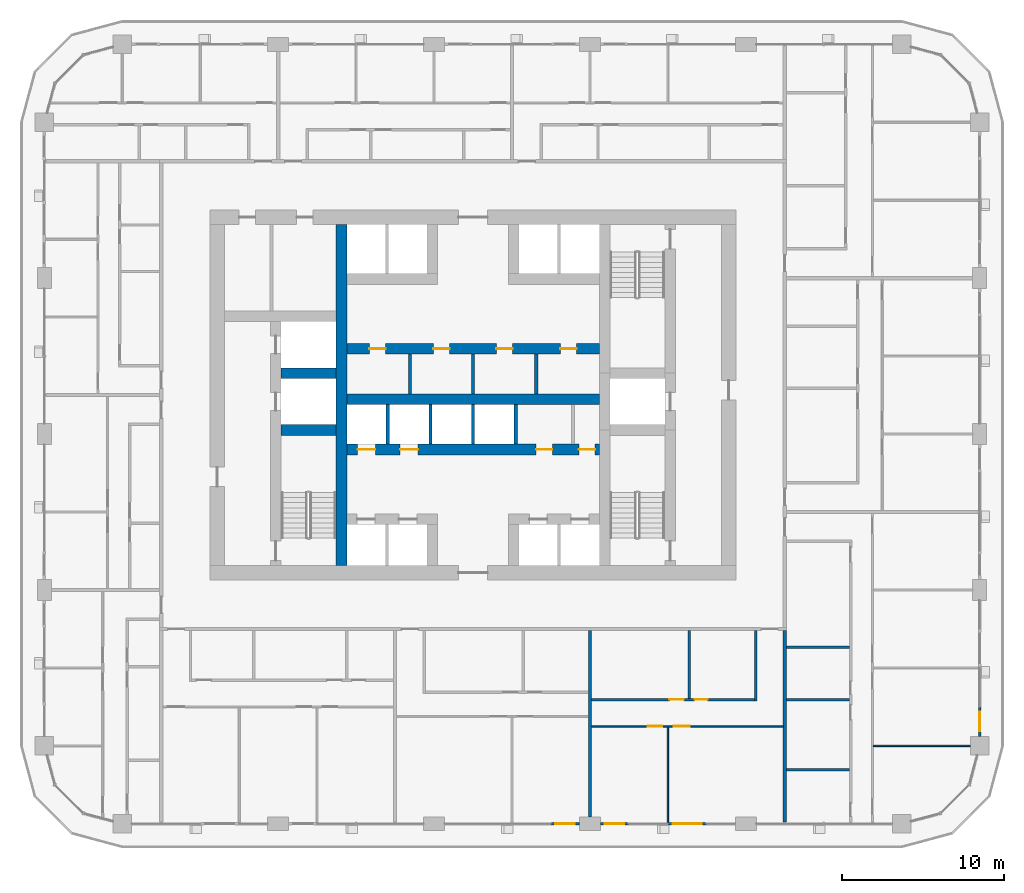
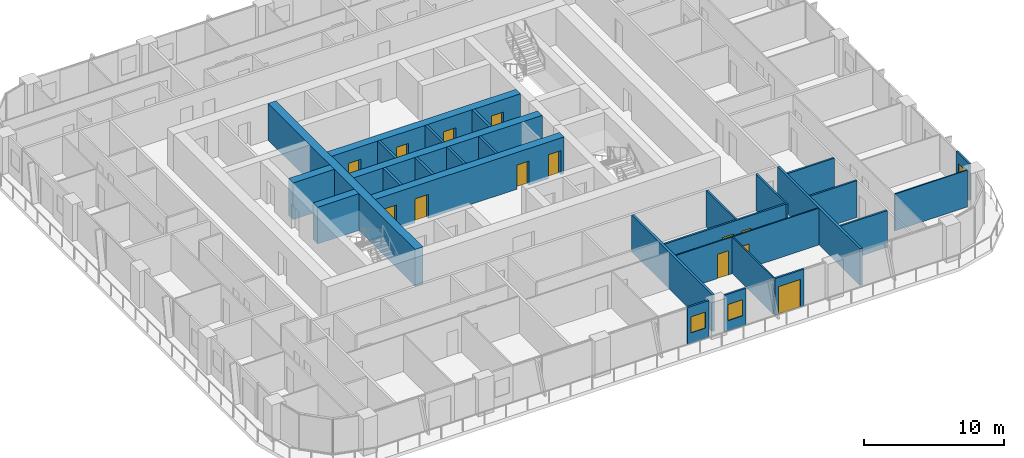
# One storey, part 11 of 22: 28 walls, 13 doors, 3 windows, 16 openings.
"""IFC4 building model written with IfcOpenShell, lengths in metres."""

from ifc_helpers import new_model, si_unit, direction, frame, frame_2d, origin, place, context, subcontext, project, spatial, rectangle, extrude, material, layer, layer_set, type_object, element, fill, save


model = new_model("IFC4")

# Units and contexts
model_context = context("Model", 3, precision=1e-05, world=origin(), true_north=direction((0.0, 1.0)))
body_context = subcontext(model_context, "Body", "Model", "MODEL_VIEW")
ifc_project = project(units=[si_unit("LENGTHUNIT", "METRE"), si_unit("AREAUNIT", "SQUARE_METRE"), si_unit("VOLUMEUNIT", "CUBIC_METRE"), si_unit("PLANEANGLEUNIT", "RADIAN"), si_unit("MASSUNIT", "GRAM", prefix="KILO")], contexts=[model_context])

# Site, building, storey
site_placement = place(None, origin())
site = spatial("IfcSite", under=ifc_project, at=site_placement, CompositionType="ELEMENT")
building_placement = place(site_placement, origin())
building = spatial("IfcBuilding", under=site, at=building_placement, Name="Madar Terraces", CompositionType="ELEMENT")
storey_placement = place(building_placement, frame((0.0, 0.0, 69.800048828125)))
storey = spatial("IfcBuildingStorey", under=building, at=storey_placement, Name="L17", CompositionType="ELEMENT", Elevation=69.800048828125)

# Walls
ifc_material_1 = material(Name="Concrete C80/95", Category="concrete")
ifc_layer_1 = layer(ifc_material_1, 0.64990234375)
ifc_layer_set_1 = layer_set([ifc_layer_1], Name="Concrete C80/95 (CIW2 RC wall 650)")
wall_type_1 = type_object("IfcWallType", Name="CIW2 RC wall 650", PredefinedType="SHEAR", material=ifc_layer_set_1)
wall_1_placement = place(storey_placement, frame((23.10009765625, 15.89990234375, 0.0), z_axis=(0.0, 0.0, 1.0), x_axis=(0.0, 1.0, 0.0)))
element("IfcWall", 1, at=wall_1_placement, inside=storey, type_object=wall_type_1, Name="CORE SHAFT WALL", PredefinedType="SHEAR", context=body_context, shape_type="SweptSolid", body=[
    extrude(rectangle(XDim=21.0, YDim=0.64990234375, at=frame_2d((10.5, 0.0))), origin(), (0.0, 0.0, 1.0), 3.199951171875),
])
for number, where, z_axis, x_axis, name in (
    (2, (19.375, 24.25, 0.0), (0.0, 0.0, 1.0), (1.0, 0.0, 0.0), "CORE SHAFT WALL"),
    (3, (19.375, 27.75, 0.0), (0.0, 0.0, 1.0), (1.0, 0.0, 0.0), "CORE SHAFT WALL"),
):
    element("IfcWall", number, at=place(storey_placement, frame(where, z_axis=z_axis, x_axis=x_axis)), inside=storey, type_object=wall_type_1, Name=name, PredefinedType="SHEAR", context=body_context, shape_type="SweptSolid", body=[
        extrude(rectangle(XDim=3.39990234375, YDim=0.64990234375, at=frame_2d((1.699951171875, 0.0))), origin(), (0.0, 0.0, 1.0), 3.199951171875),
    ])

# Wall, openings, doors
wall_2_placement = place(storey_placement, frame((23.425048828125, 23.050048828125, 0.0), z_axis=(0.0, 0.0, 1.0), x_axis=(1.0, 0.0, 0.0)))
wall_2 = element("IfcWall", 4, at=wall_2_placement, inside=storey, type_object=wall_type_1, Name="CORE SHAFT WALL", PredefinedType="SHEAR", context=body_context, shape_type="SweptSolid", body=[
    extrude(rectangle(XDim=15.550048828125, YDim=0.64990234375, at=frame_2d((7.77490234375, 0.0))), origin(), (0.0, 0.0, 1.0), 3.199951171875),
])
opening_1_placement = place(wall_2_placement, frame((0.66259765625, 0.0, 0.0)))
opening_1 = element("IfcOpeningElement", 5, at=opening_1_placement, cuts=wall_2, Name="Opening LD", PredefinedType="OPENING", context=body_context, shape_type="SweptSolid", body=[
    extrude(rectangle(XDim=1.10009765625, YDim=2.10009765625, at=frame_2d((0.550048828125, 1.050048828125))), frame((0.0, 0.3349609375, 0.0), z_axis=(0.0, -1.0, 0.0), x_axis=(1.0, 0.0, 0.0)), (0.0, 0.0, 1.0), 0.669921875),
])
opening_2_placement = place(wall_2_placement, frame((3.28759765625, 0.0, 0.0)))
opening_2 = element("IfcOpeningElement", 6, at=opening_2_placement, cuts=wall_2, Name="Opening LD", PredefinedType="OPENING", context=body_context, shape_type="SweptSolid", body=[
    extrude(rectangle(XDim=1.10009765625, YDim=2.10009765625, at=frame_2d((0.550048828125, 1.050048828125))), frame((0.0, 0.3349609375, 0.0), z_axis=(0.0, -1.0, 0.0), x_axis=(1.0, 0.0, 0.0)), (0.0, 0.0, 1.0), 0.669921875),
])
opening_3_placement = place(wall_2_placement, frame((11.6669921875, 0.0, 0.0)))
opening_3 = element("IfcOpeningElement", 7, at=opening_3_placement, cuts=wall_2, Name="Opening KD2", PredefinedType="OPENING", context=body_context, shape_type="SweptSolid", body=[
    extrude(rectangle(XDim=1.0, YDim=2.10009765625, at=frame_2d((0.5, 1.050048828125))), frame((0.0, 0.3349609375, 0.0), z_axis=(0.0, -1.0, 0.0), x_axis=(1.0, 0.0, 0.0)), (0.0, 0.0, 1.0), 0.669921875),
])
opening_4_placement = place(wall_2_placement, frame((14.2919921875, 0.0, 0.0)))
opening_4 = element("IfcOpeningElement", 8, at=opening_4_placement, cuts=wall_2, Name="Opening KD2", PredefinedType="OPENING", context=body_context, shape_type="SweptSolid", body=[
    extrude(rectangle(XDim=1.0, YDim=2.10009765625, at=frame_2d((0.5, 1.050048828125))), frame((0.0, 0.3349609375, 0.0), z_axis=(0.0, -1.0, 0.0), x_axis=(1.0, 0.0, 0.0)), (0.0, 0.0, 1.0), 0.669921875),
])
ifc_material_2 = material(Name="Stainless steel panel", Category="steel")
door_type_1 = type_object("IfcDoorType", Name="Lift landing door 1100 x 2100", OperationType="DOUBLE_DOOR_SLIDING", PredefinedType="DOOR", material=ifc_material_2)
door_1_placement = place(opening_1_placement, origin())
door_1 = element("IfcDoor", 9, at=door_1_placement, inside=storey, type_object=door_type_1, Name="LIFT LANDING DOOR", OperationType="DOUBLE_DOOR_SLIDING", OverallHeight=2.10009765625, OverallWidth=1.10009765625, PredefinedType="DOOR", context=body_context, shape_type="SweptSolid", body=[
    extrude(rectangle(XDim=1.10009765625, YDim=2.10009765625, at=frame_2d((0.550048828125, 1.050048828125))), frame((0.0, 0.02490234375, 0.0), z_axis=(0.0, -1.0, 0.0), x_axis=(1.0, 0.0, 0.0)), (0.0, 0.0, 1.0), 0.050048828125),
])
fill(opening_1, door_1)
door_2_placement = place(opening_2_placement, origin())
door_2 = element("IfcDoor", 10, at=door_2_placement, inside=storey, type_object=door_type_1, Name="LIFT LANDING DOOR", OperationType="DOUBLE_DOOR_SLIDING", OverallHeight=2.10009765625, OverallWidth=1.10009765625, PredefinedType="DOOR", context=body_context, shape_type="SweptSolid", body=[
    extrude(rectangle(XDim=1.10009765625, YDim=2.10009765625, at=frame_2d((0.550048828125, 1.050048828125))), frame((0.0, 0.02490234375, 0.0), z_axis=(0.0, -1.0, 0.0), x_axis=(1.0, 0.0, 0.0)), (0.0, 0.0, 1.0), 0.050048828125),
])
fill(opening_2, door_2)
ifc_material_3 = material(Name="Steel door leaf", Category="steel")
door_type_2 = type_object("IfcDoorType", Name="Service room door 1000 x 2100", OperationType="NOTDEFINED", PredefinedType="DOOR", material=ifc_material_3)
door_3_placement = place(opening_3_placement, frame((1.0, 0.0, 0.0), z_axis=(0.0, 0.0, 1.0), x_axis=(-1.0, 0.0, 0.0)))
door_3 = element("IfcDoor", 11, at=door_3_placement, inside=storey, type_object=door_type_2, Name="SERVICE ROOM DOOR", OperationType="SINGLE_SWING_RIGHT", OverallHeight=2.10009765625, OverallWidth=1.0, PredefinedType="DOOR", context=body_context, shape_type="SweptSolid", body=[
    extrude(rectangle(XDim=1.0, YDim=2.10009765625, at=frame_2d((0.5, 1.050048828125))), frame((0.0, 0.02490234375, 0.0), z_axis=(0.0, -1.0, 0.0), x_axis=(1.0, 0.0, 0.0)), (0.0, 0.0, 1.0), 0.050048828125),
])
fill(opening_3, door_3)
door_4_placement = place(opening_4_placement, frame((1.0, 0.0, 0.0), z_axis=(0.0, 0.0, 1.0), x_axis=(-1.0, 0.0, 0.0)))
door_4 = element("IfcDoor", 12, at=door_4_placement, inside=storey, type_object=door_type_2, Name="SERVICE ROOM DOOR", OperationType="SINGLE_SWING_LEFT", OverallHeight=2.10009765625, OverallWidth=1.0, PredefinedType="DOOR", context=body_context, shape_type="SweptSolid", body=[
    extrude(rectangle(XDim=1.0, YDim=2.10009765625, at=frame_2d((0.5, 1.050048828125))), frame((0.0, 0.02490234375, 0.0), z_axis=(0.0, -1.0, 0.0), x_axis=(1.0, 0.0, 0.0)), (0.0, 0.0, 1.0), 0.050048828125),
])
fill(opening_4, door_4)

# Wall
wall_3_placement = place(storey_placement, frame((23.425048828125, 26.14990234375, 0.0), z_axis=(0.0, 0.0, 1.0), x_axis=(1.0, 0.0, 0.0)))
element("IfcWall", 13, at=wall_3_placement, inside=storey, type_object=wall_type_1, Name="CORE SHAFT WALL", PredefinedType="SHEAR", context=body_context, shape_type="SweptSolid", body=[
    extrude(rectangle(XDim=15.550048828125, YDim=0.64990234375, at=frame_2d((7.77490234375, 0.0))), origin(), (0.0, 0.0, 1.0), 3.199951171875),
])

# Wall, openings, doors
wall_4_placement = place(storey_placement, frame((23.425048828125, 29.25, 0.0), z_axis=(0.0, 0.0, 1.0), x_axis=(1.0, 0.0, 0.0)))
wall_4 = element("IfcWall", 14, at=wall_4_placement, inside=storey, type_object=wall_type_1, Name="CORE SHAFT WALL", PredefinedType="SHEAR", context=body_context, shape_type="SweptSolid", body=[
    extrude(rectangle(XDim=15.550048828125, YDim=0.64990234375, at=frame_2d((7.77490234375, 0.0))), origin(), (0.0, 0.0, 1.0), 3.199951171875),
])
opening_5_placement = place(wall_4_placement, frame((1.393798828125, 0.0, 0.0)))
opening_5 = element("IfcOpeningElement", 15, at=opening_5_placement, cuts=wall_4, Name="Opening KD2", PredefinedType="OPENING", context=body_context, shape_type="SweptSolid", body=[
    extrude(rectangle(XDim=1.0, YDim=2.10009765625, at=frame_2d((0.5, 1.050048828125))), frame((0.0, 0.3349609375, 0.0), z_axis=(0.0, -1.0, 0.0), x_axis=(1.0, 0.0, 0.0)), (0.0, 0.0, 1.0), 0.669921875),
])
opening_6_placement = place(wall_4_placement, frame((5.331298828125, 0.0, 0.0)))
opening_6 = element("IfcOpeningElement", 16, at=opening_6_placement, cuts=wall_4, Name="Opening KD2", PredefinedType="OPENING", context=body_context, shape_type="SweptSolid", body=[
    extrude(rectangle(XDim=1.0, YDim=2.10009765625, at=frame_2d((0.5, 1.050048828125))), frame((0.0, 0.3349609375, 0.0), z_axis=(0.0, -1.0, 0.0), x_axis=(1.0, 0.0, 0.0)), (0.0, 0.0, 1.0), 0.669921875),
])
opening_7_placement = place(wall_4_placement, frame((9.21875, 0.0, 0.0)))
opening_7 = element("IfcOpeningElement", 17, at=opening_7_placement, cuts=wall_4, Name="Opening KD2", PredefinedType="OPENING", context=body_context, shape_type="SweptSolid", body=[
    extrude(rectangle(XDim=1.0, YDim=2.10009765625, at=frame_2d((0.5, 1.050048828125))), frame((0.0, 0.3349609375, 0.0), z_axis=(0.0, -1.0, 0.0), x_axis=(1.0, 0.0, 0.0)), (0.0, 0.0, 1.0), 0.669921875),
])
opening_8_placement = place(wall_4_placement, frame((13.15625, 0.0, 0.0)))
opening_8 = element("IfcOpeningElement", 18, at=opening_8_placement, cuts=wall_4, Name="Opening KD2", PredefinedType="OPENING", context=body_context, shape_type="SweptSolid", body=[
    extrude(rectangle(XDim=1.0, YDim=2.10009765625, at=frame_2d((0.5, 1.050048828125))), frame((0.0, 0.3349609375, 0.0), z_axis=(0.0, -1.0, 0.0), x_axis=(1.0, 0.0, 0.0)), (0.0, 0.0, 1.0), 0.669921875),
])
door_5_placement = place(opening_5_placement, origin())
door_5 = element("IfcDoor", 19, at=door_5_placement, inside=storey, type_object=door_type_2, Name="SERVICE ROOM DOOR", OperationType="SINGLE_SWING_RIGHT", OverallHeight=2.10009765625, OverallWidth=1.0, PredefinedType="DOOR", context=body_context, shape_type="SweptSolid", body=[
    extrude(rectangle(XDim=1.0, YDim=2.10009765625, at=frame_2d((0.5, 1.050048828125))), frame((0.0, 0.02490234375, 0.0), z_axis=(0.0, -1.0, 0.0), x_axis=(1.0, 0.0, 0.0)), (0.0, 0.0, 1.0), 0.050048828125),
])
fill(opening_5, door_5)
door_6_placement = place(opening_6_placement, origin())
door_6 = element("IfcDoor", 20, at=door_6_placement, inside=storey, type_object=door_type_2, Name="SERVICE ROOM DOOR", OperationType="SINGLE_SWING_LEFT", OverallHeight=2.10009765625, OverallWidth=1.0, PredefinedType="DOOR", context=body_context, shape_type="SweptSolid", body=[
    extrude(rectangle(XDim=1.0, YDim=2.10009765625, at=frame_2d((0.5, 1.050048828125))), frame((0.0, 0.02490234375, 0.0), z_axis=(0.0, -1.0, 0.0), x_axis=(1.0, 0.0, 0.0)), (0.0, 0.0, 1.0), 0.050048828125),
])
fill(opening_6, door_6)
door_7_placement = place(opening_7_placement, origin())
door_7 = element("IfcDoor", 21, at=door_7_placement, inside=storey, type_object=door_type_2, Name="SERVICE ROOM DOOR", OperationType="SINGLE_SWING_RIGHT", OverallHeight=2.10009765625, OverallWidth=1.0, PredefinedType="DOOR", context=body_context, shape_type="SweptSolid", body=[
    extrude(rectangle(XDim=1.0, YDim=2.10009765625, at=frame_2d((0.5, 1.050048828125))), frame((0.0, 0.02490234375, 0.0), z_axis=(0.0, -1.0, 0.0), x_axis=(1.0, 0.0, 0.0)), (0.0, 0.0, 1.0), 0.050048828125),
])
fill(opening_7, door_7)
door_8_placement = place(opening_8_placement, origin())
door_8 = element("IfcDoor", 22, at=door_8_placement, inside=storey, type_object=door_type_2, Name="SERVICE ROOM DOOR", OperationType="SINGLE_SWING_LEFT", OverallHeight=2.10009765625, OverallWidth=1.0, PredefinedType="DOOR", context=body_context, shape_type="SweptSolid", body=[
    extrude(rectangle(XDim=1.0, YDim=2.10009765625, at=frame_2d((0.5, 1.050048828125))), frame((0.0, 0.02490234375, 0.0), z_axis=(0.0, -1.0, 0.0), x_axis=(1.0, 0.0, 0.0)), (0.0, 0.0, 1.0), 0.050048828125),
])
fill(opening_8, door_8)

# Walls
ifc_material_4 = material(Name="Masonry blockwork", Category="masonry")
ifc_layer_2 = layer(ifc_material_4, 0.199951171875)
ifc_layer_set_2 = layer_set([ifc_layer_2], Name="Core partition 200 blockwork")
wall_type_2 = type_object("IfcWallType", Name="Core partition 200 blockwork", PredefinedType="PARTITIONING", material=ifc_layer_set_2)
for number, where, z_axis, x_axis, name in (
    (23, (27.3125, 26.47509765625, 0.0), (0.0, 0.0, 1.0), (0.0, 1.0, 0.0), "SERVICE ROOM PARTITION"),
    (24, (31.199951171875, 26.47509765625, 0.0), (0.0, 0.0, 1.0), (0.0, 1.0, 0.0), "SERVICE ROOM PARTITION"),
    (25, (35.08740234375, 26.47509765625, 0.0), (0.0, 0.0, 1.0), (0.0, 1.0, 0.0), "SERVICE ROOM PARTITION"),
):
    element("IfcWall", number, at=place(storey_placement, frame(where, z_axis=z_axis, x_axis=x_axis)), inside=storey, type_object=wall_type_2, Name=name, PredefinedType="PARTITIONING", context=body_context, shape_type="SweptSolid", body=[
        extrude(rectangle(XDim=2.449951171875, YDim=0.199951171875, at=frame_2d((1.22509765625, 0.0))), origin(), (0.0, 0.0, 1.0), 3.199951171875),
    ])
ifc_material_5 = material(Name="Concrete C40/50", Category="concrete")
ifc_layer_3 = layer(ifc_material_5, 0.199951171875)
ifc_layer_set_3 = layer_set([ifc_layer_3], Name="Core shaft dividing wall 200 C40/50")
wall_type_3 = type_object("IfcWallType", Name="Core shaft dividing wall 200 C40/50", PredefinedType="SOLIDWALL", material=ifc_layer_set_3)
for number, where, z_axis, x_axis, name in (
    (26, (25.949951171875, 23.375, 0.0), (0.0, 0.0, 1.0), (0.0, 1.0, 0.0), "SHAFT DIVIDING WALL"),
    (27, (28.574951171875, 23.375, 0.0), (0.0, 0.0, 1.0), (0.0, 1.0, 0.0), "SHAFT DIVIDING WALL"),
    (28, (31.199951171875, 23.375, 0.0), (0.0, 0.0, 1.0), (0.0, 1.0, 0.0), "SHAFT DIVIDING WALL"),
    (29, (33.824951171875, 23.375, 0.0), (0.0, 0.0, 1.0), (0.0, 1.0, 0.0), "SHAFT DIVIDING WALL"),
):
    element("IfcWall", number, at=place(storey_placement, frame(where, z_axis=z_axis, x_axis=x_axis)), inside=storey, type_object=wall_type_3, Name=name, PredefinedType="SOLIDWALL", context=body_context, shape_type="SweptSolid", body=[
        extrude(rectangle(XDim=2.449951171875, YDim=0.199951171875, at=frame_2d((1.22509765625, 0.0))), origin(), (0.0, 0.0, 1.0), 3.199951171875),
    ])

# Wall, opening, window
ifc_material_6 = material(Name="Aluminium composite panel, black, over insulated backing", Category="aluminium")
ifc_layer_4 = layer(ifc_material_6, 0.14990234375)
ifc_layer_set_4 = layer_set([ifc_layer_4], Name="Facade bay panel 150")
wall_type_4 = type_object("IfcWallType", Name="Facade bay panel 150", PredefinedType="SOLIDWALL", material=ifc_layer_set_4)
wall_5_placement = place(storey_placement, frame((36.0, 0.0, 0.0), z_axis=(0.0, 0.0, 1.0), x_axis=(1.0, 0.0, 0.0)))
wall_5 = element("IfcWall", 30, at=wall_5_placement, inside=storey, type_object=wall_type_4, Name="Facade bay panel", PredefinedType="SOLIDWALL", context=body_context, shape_type="SweptSolid", body=[
    extrude(rectangle(XDim=1.75, YDim=0.14990234375, at=frame_2d((0.875, 0.0))), origin(), (0.0, 0.0, 1.0), 3.199951171875),
])
opening_9_placement = place(wall_5_placement, frame((0.27490234375, 0.0, 0.89990234375)))
opening_9 = element("IfcOpeningElement", 31, at=opening_9_placement, cuts=wall_5, Name="Opening W1", PredefinedType="OPENING", context=body_context, shape_type="SweptSolid", body=[
    extrude(rectangle(XDim=1.199951171875, YDim=1.39990234375, at=frame_2d((0.60009765625, 0.699951171875))), frame((0.0, 0.0849609375, 0.0), z_axis=(0.0, -1.0, 0.0), x_axis=(1.0, 0.0, 0.0)), (0.0, 0.0, 1.0), 0.169921875),
])
ifc_material_7 = material(Name="Glass, clear, with black aluminium frame", Category="aluminium")
window_type = type_object("IfcWindowType", Name="Vent window 1200 x 1400", PartitioningType="SINGLE_PANEL", PredefinedType="WINDOW", material=ifc_material_7)
window_1_placement = place(opening_9_placement, origin())
window_1 = element("IfcWindow", 32, at=window_1_placement, inside=storey, type_object=window_type, Name="Operable vent window", OverallHeight=1.39990234375, OverallWidth=1.199951171875, PartitioningType="SINGLE_PANEL", PredefinedType="WINDOW", context=body_context, shape_type="SweptSolid", body=[
    extrude(rectangle(XDim=1.199951171875, YDim=1.39990234375, at=frame_2d((0.60009765625, 0.699951171875))), frame((0.0, 0.030029296875, 0.0), z_axis=(0.0, -1.0, 0.0), x_axis=(1.0, 0.0, 0.0)), (0.0, 0.0, 1.0), 0.06005859375),
])
fill(opening_9, window_1)

wall_6_placement = place(storey_placement, frame((39.050048828125, 0.0, 0.0), z_axis=(0.0, 0.0, 1.0), x_axis=(1.0, 0.0, 0.0)))
wall_6 = element("IfcWall", 33, at=wall_6_placement, inside=storey, type_object=wall_type_4, Name="Facade bay panel", PredefinedType="SOLIDWALL", context=body_context, shape_type="SweptSolid", body=[
    extrude(rectangle(XDim=1.75, YDim=0.14990234375, at=frame_2d((0.875, 0.0))), origin(), (0.0, 0.0, 1.0), 3.199951171875),
])
opening_10_placement = place(wall_6_placement, frame((0.27490234375, 0.0, 0.89990234375)))
opening_10 = element("IfcOpeningElement", 34, at=opening_10_placement, cuts=wall_6, Name="Opening W1", PredefinedType="OPENING", context=body_context, shape_type="SweptSolid", body=[
    extrude(rectangle(XDim=1.199951171875, YDim=1.39990234375, at=frame_2d((0.60009765625, 0.699951171875))), frame((0.0, 0.0849609375, 0.0), z_axis=(0.0, -1.0, 0.0), x_axis=(1.0, 0.0, 0.0)), (0.0, 0.0, 1.0), 0.169921875),
])
window_2_placement = place(opening_10_placement, origin())
window_2 = element("IfcWindow", 35, at=window_2_placement, inside=storey, type_object=window_type, Name="Operable vent window", OverallHeight=1.39990234375, OverallWidth=1.199951171875, PartitioningType="SINGLE_PANEL", PredefinedType="WINDOW", context=body_context, shape_type="SweptSolid", body=[
    extrude(rectangle(XDim=1.199951171875, YDim=1.39990234375, at=frame_2d((0.60009765625, 0.699951171875))), frame((0.0, 0.030029296875, 0.0), z_axis=(0.0, -1.0, 0.0), x_axis=(1.0, 0.0, 0.0)), (0.0, 0.0, 1.0), 0.06005859375),
])
fill(opening_10, window_2)

# Wall, opening, door
wall_7_placement = place(storey_placement, frame((43.199951171875, 0.0, 0.0), z_axis=(0.0, 0.0, 1.0), x_axis=(1.0, 0.0, 0.0)))
wall_7 = element("IfcWall", 36, at=wall_7_placement, inside=storey, type_object=wall_type_4, Name="Facade bay panel", PredefinedType="SOLIDWALL", context=body_context, shape_type="SweptSolid", body=[
    extrude(rectangle(XDim=2.400146484375, YDim=0.14990234375, at=frame_2d((1.2001953125, 0.0))), origin(), (0.0, 0.0, 1.0), 3.199951171875),
])
opening_11_placement = place(wall_7_placement, frame((0.300048828125, 0.0, 0.0)))
opening_11 = element("IfcOpeningElement", 37, at=opening_11_placement, cuts=wall_7, Name="Opening ED1", PredefinedType="OPENING", context=body_context, shape_type="SweptSolid", body=[
    extrude(rectangle(XDim=1.800048828125, YDim=2.39990234375, at=frame_2d((0.89990234375, 1.199951171875))), frame((0.0, 0.0849609375, 0.0), z_axis=(0.0, -1.0, 0.0), x_axis=(1.0, 0.0, 0.0)), (0.0, 0.0, 1.0), 0.169921875),
])
ifc_material_8 = material(Name="Glass, clear, with black aluminium frame", Category="aluminium")
door_type_3 = type_object("IfcDoorType", Name="Balcony and terrace sliding door 1800 x 2400", OperationType="SLIDING_TO_LEFT", PredefinedType="DOOR", material=ifc_material_8)
door_9_placement = place(opening_11_placement, origin())
door_9 = element("IfcDoor", 38, at=door_9_placement, inside=storey, type_object=door_type_3, Name="Balcony door", OperationType="SLIDING_TO_RIGHT", OverallHeight=2.39990234375, OverallWidth=1.800048828125, PredefinedType="DOOR", context=body_context, shape_type="SweptSolid", body=[
    extrude(rectangle(XDim=1.800048828125, YDim=2.39990234375, at=frame_2d((0.89990234375, 1.199951171875))), frame((0.0, 0.02490234375, 0.0), z_axis=(0.0, -1.0, 0.0), x_axis=(1.0, 0.0, 0.0)), (0.0, 0.0, 1.0), 0.050048828125),
])
fill(opening_11, door_9)

# Wall, opening, window
wall_8_placement = place(storey_placement, frame((62.39990234375, 5.375, 0.0), z_axis=(0.0, 0.0, 1.0), x_axis=(0.0, 1.0, 0.0)))
wall_8 = element("IfcWall", 39, at=wall_8_placement, inside=storey, type_object=wall_type_4, Name="Facade bay panel", PredefinedType="SOLIDWALL", context=body_context, shape_type="SweptSolid", body=[
    extrude(rectangle(XDim=1.824951171875, YDim=0.14990234375, at=frame_2d((0.91259765625, 0.0))), origin(), (0.0, 0.0, 1.0), 3.199951171875),
])
opening_12_placement = place(wall_8_placement, frame((0.3125, 0.0, 0.89990234375)))
opening_12 = element("IfcOpeningElement", 40, at=opening_12_placement, cuts=wall_8, Name="Opening W1", PredefinedType="OPENING", context=body_context, shape_type="SweptSolid", body=[
    extrude(rectangle(XDim=1.199951171875, YDim=1.39990234375, at=frame_2d((0.60009765625, 0.699951171875))), frame((0.0, 0.0849609375, 0.0), z_axis=(0.0, -1.0, 0.0), x_axis=(1.0, 0.0, 0.0)), (0.0, 0.0, 1.0), 0.169921875),
])
window_3_placement = place(opening_12_placement, origin())
window_3 = element("IfcWindow", 41, at=window_3_placement, inside=storey, type_object=window_type, Name="Operable vent window", OverallHeight=1.39990234375, OverallWidth=1.199951171875, PartitioningType="SINGLE_PANEL", PredefinedType="WINDOW", context=body_context, shape_type="SweptSolid", body=[
    extrude(rectangle(XDim=1.199951171875, YDim=1.39990234375, at=frame_2d((0.60009765625, 0.699951171875))), frame((0.0, 0.030029296875, 0.0), z_axis=(0.0, -1.0, 0.0), x_axis=(1.0, 0.0, 0.0)), (0.0, 0.0, 1.0), 0.06005859375),
])
fill(opening_12, window_3)

# Wall
ifc_material_9 = material(Name="Gypsum board on steel studs", Category="steel")
ifc_layer_5 = layer(ifc_material_9, 0.10009765625)
ifc_layer_set_5 = layer_set([ifc_layer_5], Name="Flat partition 100")
wall_type_5 = type_object("IfcWallType", Name="Flat partition 100", PredefinedType="PARTITIONING", material=ifc_layer_set_5)
wall_9_placement = place(storey_placement, frame((43.199951171875, 5.949951171875, 0.0), z_axis=(0.0, 0.0, 1.0), x_axis=(0.0, -1.0, 0.0)))
element("IfcWall", 42, at=wall_9_placement, inside=storey, type_object=wall_type_5, Name="Flat partition 100", PredefinedType="PARTITIONING", context=body_context, shape_type="SweptSolid", body=[
    extrude(rectangle(XDim=5.849853515625, YDim=0.10009765625, at=frame_2d((2.9248046875, 0.0))), origin(), (0.0, 0.0, 1.0), 3.199951171875),
])

# Wall, openings, doors
wall_10_placement = place(storey_placement, frame((50.300048828125, 6.0, 0.0), z_axis=(0.0, 0.0, 1.0), x_axis=(-1.0, 0.0, 0.0)))
wall_10 = element("IfcWall", 43, at=wall_10_placement, inside=storey, type_object=wall_type_5, Name="Flat partition 100", PredefinedType="PARTITIONING", context=body_context, shape_type="SweptSolid", body=[
    extrude(rectangle(XDim=11.800048828125, YDim=0.10009765625, at=frame_2d((5.89990234375, 0.0))), origin(), (0.0, 0.0, 1.0), 3.199951171875),
])
opening_13_placement = place(wall_10_placement, frame((5.75, 0.0, 0.0)))
opening_13 = element("IfcOpeningElement", 44, at=opening_13_placement, cuts=wall_10, Name="Opening D3", PredefinedType="OPENING", context=body_context, shape_type="SweptSolid", body=[
    extrude(rectangle(XDim=1.0, YDim=2.10009765625, at=frame_2d((0.5, 1.050048828125))), frame((0.0, 0.06005859375, 0.0), z_axis=(0.0, -1.0, 0.0), x_axis=(1.0, 0.0, 0.0)), (0.0, 0.0, 1.0), 0.1201171875),
])
opening_14_placement = place(wall_10_placement, frame((7.449951171875, 0.0, 0.0)))
opening_14 = element("IfcOpeningElement", 45, at=opening_14_placement, cuts=wall_10, Name="Opening D2", PredefinedType="OPENING", context=body_context, shape_type="SweptSolid", body=[
    extrude(rectangle(XDim=0.89990234375, YDim=2.10009765625, at=frame_2d((0.449951171875, 1.050048828125))), frame((0.0, 0.06005859375, 0.0), z_axis=(0.0, -1.0, 0.0), x_axis=(1.0, 0.0, 0.0)), (0.0, 0.0, 1.0), 0.1201171875),
])
ifc_material_10 = material(Name="Timber door leaf", Category="wood")
door_type_4 = type_object("IfcDoorType", Name="Flat living room door 1000", OperationType="NOTDEFINED", PredefinedType="DOOR", material=ifc_material_10)
door_10_placement = place(opening_13_placement, origin())
door_10 = element("IfcDoor", 46, at=door_10_placement, inside=storey, type_object=door_type_4, Name="Flat living room door 1000", OperationType="SINGLE_SWING_RIGHT", OverallHeight=2.10009765625, OverallWidth=1.0, PredefinedType="DOOR", context=body_context, shape_type="SweptSolid", body=[
    extrude(rectangle(XDim=1.0, YDim=2.10009765625, at=frame_2d((0.5, 1.050048828125))), frame((0.0, 0.02490234375, 0.0), z_axis=(0.0, -1.0, 0.0), x_axis=(1.0, 0.0, 0.0)), (0.0, 0.0, 1.0), 0.050048828125),
])
fill(opening_13, door_10)
ifc_material_11 = material(Name="Timber door leaf", Category="wood")
door_type_5 = type_object("IfcDoorType", Name="Flat room door 900", OperationType="NOTDEFINED", PredefinedType="DOOR", material=ifc_material_11)
door_11_placement = place(opening_14_placement, origin())
door_11 = element("IfcDoor", 47, at=door_11_placement, inside=storey, type_object=door_type_5, Name="Flat room door 900", OperationType="SINGLE_SWING_LEFT", OverallHeight=2.10009765625, OverallWidth=0.89990234375, PredefinedType="DOOR", context=body_context, shape_type="SweptSolid", body=[
    extrude(rectangle(XDim=0.89990234375, YDim=2.10009765625, at=frame_2d((0.449951171875, 1.050048828125))), frame((0.0, 0.02490234375, 0.0), z_axis=(0.0, -1.0, 0.0), x_axis=(1.0, 0.0, 0.0)), (0.0, 0.0, 1.0), 0.050048828125),
])
fill(opening_14, door_11)

# Walls
wall_11_placement = place(storey_placement, frame((55.85009765625, 4.800048828125, 0.0), z_axis=(0.0, 0.0, 1.0), x_axis=(1.0, 0.0, 0.0)))
element("IfcWall", 48, at=wall_11_placement, inside=storey, type_object=wall_type_5, Name="Flat partition 100", PredefinedType="PARTITIONING", context=body_context, shape_type="SweptSolid", body=[
    extrude(rectangle(XDim=5.974853515625, YDim=0.10009765625, at=frame_2d((2.9873046875, 0.0))), origin(), (0.0, 0.0, 1.0), 3.199951171875),
])
ifc_material_12 = material(Name="Lightweight blockwork", Category="masonry")
ifc_layer_6 = layer(ifc_material_12, 0.199951171875)
ifc_layer_set_6 = layer_set([ifc_layer_6], Name="Flat party and entrance wall 200")
wall_type_6 = type_object("IfcWallType", Name="Flat party and entrance wall 200", PredefinedType="PARTITIONING", material=ifc_layer_set_6)
wall_12_placement = place(storey_placement, frame((38.39990234375, 11.89990234375, 0.0), z_axis=(0.0, 0.0, 1.0), x_axis=(0.0, -1.0, 0.0)))
element("IfcWall", 49, at=wall_12_placement, inside=storey, type_object=wall_type_6, Name="Flat party and entrance wall 200", PredefinedType="PARTITIONING", context=body_context, shape_type="SweptSolid", body=[
    extrude(rectangle(XDim=11.474853515625, YDim=0.199951171875, at=frame_2d((5.7373046875, 0.0))), origin(), (0.0, 0.0, 1.0), 3.199951171875),
])
wall_13_placement = place(storey_placement, frame((50.39990234375, 11.89990234375, 0.0), z_axis=(0.0, 0.0, 1.0), x_axis=(0.0, -1.0, 0.0)))
element("IfcWall", 50, at=wall_13_placement, inside=storey, type_object=wall_type_6, Name="Flat party and entrance wall 200", PredefinedType="PARTITIONING", context=body_context, shape_type="SweptSolid", body=[
    extrude(rectangle(XDim=11.7998046875, YDim=0.199951171875, at=frame_2d((5.89990234375, 0.0))), origin(), (0.0, 0.0, 1.0), 3.199951171875),
])
ifc_material_13 = material(Name="Lightweight blockwork", Category="masonry")
ifc_layer_7 = layer(ifc_material_13, 0.14990234375)
ifc_layer_set_7 = layer_set([ifc_layer_7], Name="Flat wet-room partition 150")
wall_type_7 = type_object("IfcWallType", Name="Flat wet-room partition 150", PredefinedType="PARTITIONING", material=ifc_layer_set_7)
wall_14_placement = place(storey_placement, frame((44.514892578125, 11.89990234375, 0.0), z_axis=(0.0, 0.0, 1.0), x_axis=(0.0, -1.0, 0.0)))
element("IfcWall", 51, at=wall_14_placement, inside=storey, type_object=wall_type_7, Name="Flat wet-room partition 150", PredefinedType="PARTITIONING", context=body_context, shape_type="SweptSolid", body=[
    extrude(rectangle(XDim=4.1748046875, YDim=0.14990234375, at=frame_2d((2.08740234375, 0.0))), origin(), (0.0, 0.0, 1.0), 3.199951171875),
])
wall_15_placement = place(storey_placement, frame((48.60009765625, 11.89990234375, 0.0), z_axis=(0.0, 0.0, 1.0), x_axis=(0.0, -1.0, 0.0)))
element("IfcWall", 52, at=wall_15_placement, inside=storey, type_object=wall_type_7, Name="Flat wet-room partition 150", PredefinedType="PARTITIONING", context=body_context, shape_type="SweptSolid", body=[
    extrude(rectangle(XDim=4.324951171875, YDim=0.14990234375, at=frame_2d((2.16259765625, 0.0))), origin(), (0.0, 0.0, 1.0), 3.199951171875),
])

# Wall, openings, doors
wall_16_placement = place(storey_placement, frame((38.5, 7.64990234375, 0.0), z_axis=(0.0, 0.0, 1.0), x_axis=(1.0, 0.0, 0.0)))
wall_16 = element("IfcWall", 53, at=wall_16_placement, inside=storey, type_object=wall_type_7, Name="Flat wet-room partition 150", PredefinedType="PARTITIONING", context=body_context, shape_type="SweptSolid", body=[
    extrude(rectangle(XDim=10.02490234375, YDim=0.14990234375, at=frame_2d((5.012451171875, 0.0))), origin(), (0.0, 0.0, 1.0), 3.199951171875),
])
opening_15_placement = place(wall_16_placement, frame((6.340087890625, 0.0, 0.0)))
opening_15 = element("IfcOpeningElement", 54, at=opening_15_placement, cuts=wall_16, Name="Opening D4", PredefinedType="OPENING", context=body_context, shape_type="SweptSolid", body=[
    extrude(rectangle(XDim=0.800048828125, YDim=2.10009765625, at=frame_2d((0.39990234375, 1.050048828125))), frame((0.0, 0.0849609375, 0.0), z_axis=(0.0, -1.0, 0.0), x_axis=(1.0, 0.0, 0.0)), (0.0, 0.0, 1.0), 0.169921875),
])
opening_16_placement = place(wall_16_placement, frame((4.7900390625, 0.0, 0.0)))
opening_16 = element("IfcOpeningElement", 55, at=opening_16_placement, cuts=wall_16, Name="Opening D2", PredefinedType="OPENING", context=body_context, shape_type="SweptSolid", body=[
    extrude(rectangle(XDim=0.89990234375, YDim=2.10009765625, at=frame_2d((0.449951171875, 1.050048828125))), frame((0.0, 0.0849609375, 0.0), z_axis=(0.0, -1.0, 0.0), x_axis=(1.0, 0.0, 0.0)), (0.0, 0.0, 1.0), 0.169921875),
])
ifc_material_14 = material(Name="Timber door leaf", Category="wood")
door_type_6 = type_object("IfcDoorType", Name="Flat bathroom door 800", OperationType="NOTDEFINED", PredefinedType="DOOR", material=ifc_material_14)
door_12_placement = place(opening_15_placement, origin())
door_12 = element("IfcDoor", 56, at=door_12_placement, inside=storey, type_object=door_type_6, Name="Flat bathroom door 800", OperationType="SINGLE_SWING_LEFT", OverallHeight=2.10009765625, OverallWidth=0.800048828125, PredefinedType="DOOR", context=body_context, shape_type="SweptSolid", body=[
    extrude(rectangle(XDim=0.800048828125, YDim=2.10009765625, at=frame_2d((0.39990234375, 1.050048828125))), frame((0.0, 0.02490234375, 0.0), z_axis=(0.0, -1.0, 0.0), x_axis=(1.0, 0.0, 0.0)), (0.0, 0.0, 1.0), 0.050048828125),
])
fill(opening_15, door_12)
door_13_placement = place(opening_16_placement, origin())
door_13 = element("IfcDoor", 57, at=door_13_placement, inside=storey, type_object=door_type_5, Name="Flat room door 900", OperationType="SINGLE_SWING_RIGHT", OverallHeight=2.10009765625, OverallWidth=0.89990234375, PredefinedType="DOOR", context=body_context, shape_type="SweptSolid", body=[
    extrude(rectangle(XDim=0.89990234375, YDim=2.10009765625, at=frame_2d((0.449951171875, 1.050048828125))), frame((0.0, 0.02490234375, 0.0), z_axis=(0.0, -1.0, 0.0), x_axis=(1.0, 0.0, 0.0)), (0.0, 0.0, 1.0), 0.050048828125),
])
fill(opening_16, door_13)

# Walls
for number, where, z_axis, x_axis, name in (
    (58, (50.5, 10.865478515625, 0.0), (0.0, 0.0, 1.0), (1.0, 0.0, 0.0), "Flat wet-room partition 150"),
    (59, (50.5, 7.635986328125, 0.0), (0.0, 0.0, 1.0), (1.0, 0.0, 0.0), "Flat wet-room partition 150"),
    (60, (50.5, 3.32958984375, 0.0), (0.0, 0.0, 1.0), (1.0, 0.0, 0.0), "Flat wet-room partition 150"),
):
    element("IfcWall", number, at=place(storey_placement, frame(where, z_axis=z_axis, x_axis=x_axis)), inside=storey, type_object=wall_type_7, Name=name, PredefinedType="PARTITIONING", context=body_context, shape_type="SweptSolid", body=[
        extrude(rectangle(XDim=3.875, YDim=0.14990234375, at=frame_2d((1.9375, 0.0))), origin(), (0.0, 0.0, 1.0), 3.199951171875),
    ])

save(model, "model.ifc")
